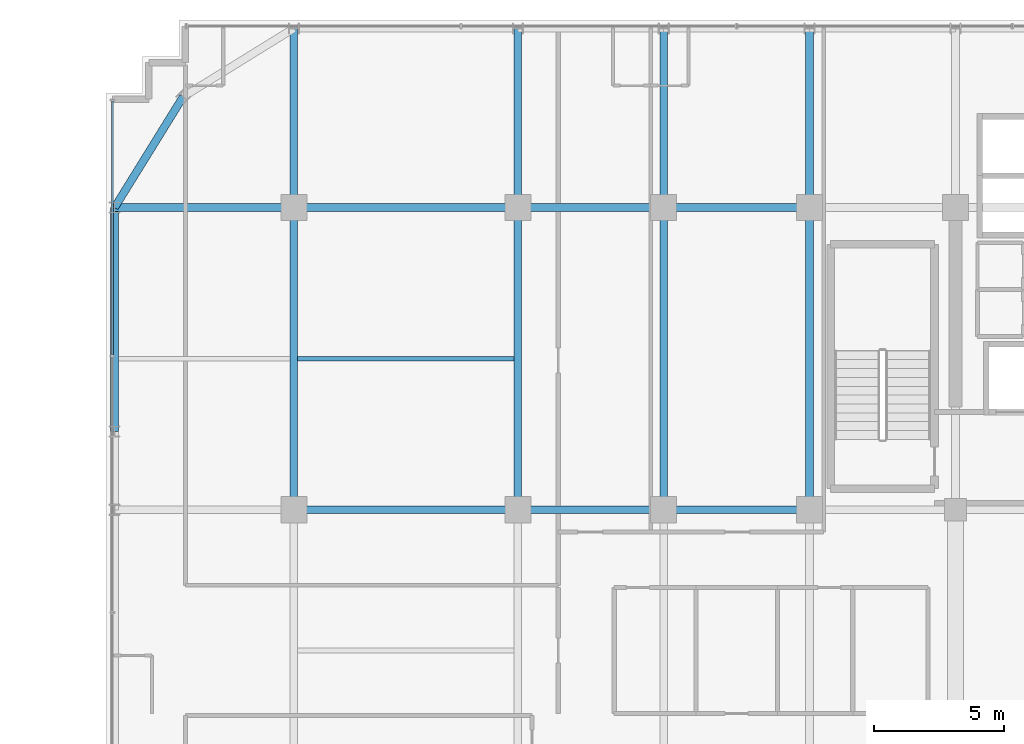
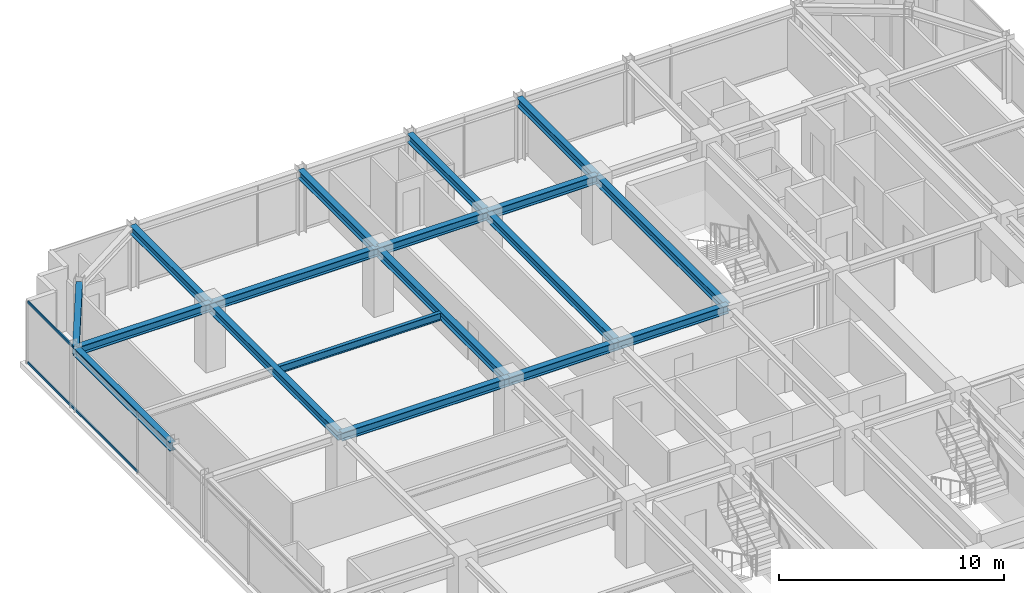
# One storey, part 18 of 32: 18 beams, 2 members, 1 element without a shape of its own.
"""IFC4 building model written with IfcOpenShell, lengths in metres."""

from ifc_helpers import new_model, si_unit, direction, frame, origin, origin_2d, place, context, subcontext, project, spatial, hollow_rectangle, i_section, extrude, source, transform, mapped, material, material_profile, profile_set, type_object, element, aggregate, save


model = new_model("IFC4")

# Units and contexts
model_context = context("Model", 3, precision=1e-05, world=origin(), true_north=direction((0.0, 1.0)))
body_context = subcontext(model_context, "Body", "Model", "MODEL_VIEW")
ifc_project = project(units=[si_unit("LENGTHUNIT", "METRE"), si_unit("AREAUNIT", "SQUARE_METRE"), si_unit("VOLUMEUNIT", "CUBIC_METRE"), si_unit("PLANEANGLEUNIT", "RADIAN"), si_unit("MASSUNIT", "GRAM", prefix="KILO")], contexts=[model_context])

# Site, building, storey
site_placement = place(None, origin())
site = spatial("IfcSite", under=ifc_project, at=site_placement, CompositionType="ELEMENT")
building_placement = place(site_placement, origin())
building = spatial("IfcBuilding", under=site, at=building_placement, Name="Nahalor Promenade Grand Hotel", CompositionType="ELEMENT")
storey_placement = place(building_placement, frame((0.0, 0.0, 230.800048828125)))
storey = spatial("IfcBuildingStorey", under=building, at=storey_placement, Name="L59", CompositionType="ELEMENT", Elevation=230.800048828125)

# Beams
ifc_material_1 = material(Name="Steel S355JR", Category="steel")
ifc_material_profile_1 = material_profile(ifc_material_1, i_section(OverallWidth=0.3, OverallDepth=0.45, WebThickness=0.014, FlangeThickness=0.026, at=origin_2d()), Name="HEB 450")
ifc_profile_set_1 = profile_set([ifc_material_profile_1], Name="Steel S355JR")
beam_type_1 = type_object("IfcBeamType", Name="Beam-Spandrel-HEB450", PredefinedType="SPANDREL", material=ifc_profile_set_1)
shared_shape_1 = source(origin(), body_context, "Body", "SweptSolid", [
    extrude(i_section(OverallWidth=0.3, OverallDepth=0.45, WebThickness=0.014, FlangeThickness=0.026, at=origin_2d()), origin(), (0.0, 0.0, 1.0), 8.60009765625),
])
beam_1_placement = place(storey_placement, frame((-23.8798828125, 8.39990234375, 3.18505859375), z_axis=(0.0, 1.0, 0.0), x_axis=(-1.0, 0.0, 0.0)))
element("IfcBeam", 1, at=beam_1_placement, inside=storey, type_object=beam_type_1, Name="BM-L59-SP-W-4", PredefinedType="SPANDREL", context=body_context, shape_type="MappedRepresentation", body=[
    mapped(shared_shape_1, transform((0.0, 0.0, 0.0), scale=1.0)),
])
shared_shape_2 = source(origin(), body_context, "Body", "SweptSolid", [
    extrude(i_section(OverallWidth=0.3, OverallDepth=0.45, WebThickness=0.014, FlangeThickness=0.026, at=origin_2d()), origin(), (0.0, 0.0, 1.0), 4.997802734375),
])
beam_2_placement = place(storey_placement, frame((-21.25, 21.25, 3.18505859375), z_axis=(-0.526199891161, -0.850360908404, 0.0), x_axis=(0.850360908404, -0.526199891161, 0.0)))
element("IfcBeam", 2, at=beam_2_placement, inside=storey, type_object=beam_type_1, Name="BM-L59-SPC-NW-2", PredefinedType="SPANDREL", context=body_context, shape_type="MappedRepresentation", body=[
    mapped(shared_shape_2, transform((0.0, 0.0, 0.0), scale=1.0)),
])
ifc_material_profile_2 = material_profile(ifc_material_1, i_section(OverallWidth=0.3, OverallDepth=0.45, WebThickness=0.014, FlangeThickness=0.026, at=origin_2d()), Name="HEB 450")
ifc_profile_set_2 = profile_set([ifc_material_profile_2], Name="Steel S355JR")
beam_type_2 = type_object("IfcBeamType", Name="Beam-Girder-HEB450", PredefinedType="BEAM", material=ifc_profile_set_2)
shared_shape_3 = source(origin(), body_context, "Body", "SweptSolid", [
    extrude(i_section(OverallWidth=0.3, OverallDepth=0.45, WebThickness=0.014, FlangeThickness=0.026, at=origin_2d()), origin(), (0.0, 0.0, 1.0), 6.8798828125),
])
for number, where, z_axis, x_axis, name in (
    (3, (-23.8798828125, 17.0, 3.18505859375), (1.0, 0.0, 0.0), (0.0, 1.0, 0.0), "BM-L59-GX-3-0"),
    (4, (-17.0, 17.0, 3.18505859375), (0.0, 1.0, 0.0), (-1.0, 0.0, 0.0), "BM-L59-GY-0-4"),
    (5, (-8.39990234375, 17.0, 3.18505859375), (0.0, 1.0, 0.0), (-1.0, 0.0, 0.0), "BM-L59-GY-1-4"),
    (6, (-2.800048828125, 17.0, 3.18505859375), (0.0, 1.0, 0.0), (-1.0, 0.0, 0.0), "BM-L59-GY-2-4"),
    (7, (2.800048828125, 17.0, 3.18505859375), (0.0, 1.0, 0.0), (-1.0, 0.0, 0.0), "BM-L59-GY-3-4"),
):
    element("IfcBeam", number, at=place(storey_placement, frame(where, z_axis=z_axis, x_axis=x_axis)), inside=storey, type_object=beam_type_2, Name=name, PredefinedType="BEAM", context=body_context, shape_type="MappedRepresentation", body=[
        mapped(shared_shape_3, transform((0.0, 0.0, 0.0), scale=1.0)),
    ])
shared_shape_4 = source(origin(), body_context, "Body", "SweptSolid", [
    extrude(i_section(OverallWidth=0.3, OverallDepth=0.45, WebThickness=0.014, FlangeThickness=0.026, at=origin_2d()), origin(), (0.0, 0.0, 1.0), 8.60009765625),
])
for number, where, z_axis, x_axis, name in (
    (8, (-17.0, 5.39990234375, 3.18505859375), (1.0, 0.0, 0.0), (0.0, 1.0, 0.0), "BM-L59-GX-2-1"),
    (9, (-17.0, 17.0, 3.18505859375), (1.0, 0.0, 0.0), (0.0, 1.0, 0.0), "BM-L59-GX-3-1"),
):
    element("IfcBeam", number, at=place(storey_placement, frame(where, z_axis=z_axis, x_axis=x_axis)), inside=storey, type_object=beam_type_2, Name=name, PredefinedType="BEAM", context=body_context, shape_type="MappedRepresentation", body=[
        mapped(shared_shape_4, transform((0.0, 0.0, 0.0), scale=1.0)),
    ])
shared_shape_5 = source(origin(), body_context, "Body", "SweptSolid", [
    extrude(i_section(OverallWidth=0.3, OverallDepth=0.45, WebThickness=0.014, FlangeThickness=0.026, at=origin_2d()), origin(), (0.0, 0.0, 1.0), 5.599853515625),
])
for number, where, z_axis, x_axis, name in (
    (10, (-8.39990234375, 5.39990234375, 3.18505859375), (1.0, 0.0, 0.0), (0.0, 1.0, 0.0), "BM-L59-GX-2-2"),
    (11, (-8.39990234375, 17.0, 3.18505859375), (1.0, 0.0, 0.0), (0.0, 1.0, 0.0), "BM-L59-GX-3-2"),
):
    element("IfcBeam", number, at=place(storey_placement, frame(where, z_axis=z_axis, x_axis=x_axis)), inside=storey, type_object=beam_type_2, Name=name, PredefinedType="BEAM", context=body_context, shape_type="MappedRepresentation", body=[
        mapped(shared_shape_5, transform((0.0, 0.0, 0.0), scale=1.0)),
    ])
shared_shape_6 = source(origin(), body_context, "Body", "SweptSolid", [
    extrude(i_section(OverallWidth=0.3, OverallDepth=0.45, WebThickness=0.014, FlangeThickness=0.026, at=origin_2d()), origin(), (0.0, 0.0, 1.0), 5.60009765625),
])
for number, where, z_axis, x_axis, name in (
    (12, (-2.800048828125, 5.39990234375, 3.18505859375), (1.0, 0.0, 0.0), (0.0, 1.0, 0.0), "BM-L59-GX-2-3"),
    (13, (-2.800048828125, 17.0, 3.18505859375), (1.0, 0.0, 0.0), (0.0, 1.0, 0.0), "BM-L59-GX-3-3"),
):
    element("IfcBeam", number, at=place(storey_placement, frame(where, z_axis=z_axis, x_axis=x_axis)), inside=storey, type_object=beam_type_2, Name=name, PredefinedType="BEAM", context=body_context, shape_type="MappedRepresentation", body=[
        mapped(shared_shape_6, transform((0.0, 0.0, 0.0), scale=1.0)),
    ])
shared_shape_7 = source(origin(), body_context, "Body", "SweptSolid", [
    extrude(i_section(OverallWidth=0.3, OverallDepth=0.45, WebThickness=0.014, FlangeThickness=0.026, at=origin_2d()), origin(), (0.0, 0.0, 1.0), 11.60009765625),
])
for number, where, z_axis, x_axis, name in (
    (14, (-17.0, 5.39990234375, 3.18505859375), (0.0, 1.0, 0.0), (-1.0, 0.0, 0.0), "BM-L59-GY-0-3"),
    (15, (-8.39990234375, 5.39990234375, 3.18505859375), (0.0, 1.0, 0.0), (-1.0, 0.0, 0.0), "BM-L59-GY-1-3"),
    (16, (-2.800048828125, 5.39990234375, 3.18505859375), (0.0, 1.0, 0.0), (-1.0, 0.0, 0.0), "BM-L59-GY-2-3"),
    (17, (2.800048828125, 5.39990234375, 3.18505859375), (0.0, 1.0, 0.0), (-1.0, 0.0, 0.0), "BM-L59-GY-3-3"),
):
    element("IfcBeam", number, at=place(storey_placement, frame(where, z_axis=z_axis, x_axis=x_axis)), inside=storey, type_object=beam_type_2, Name=name, PredefinedType="BEAM", context=body_context, shape_type="MappedRepresentation", body=[
        mapped(shared_shape_7, transform((0.0, 0.0, 0.0), scale=1.0)),
    ])
ifc_material_profile_3 = material_profile(ifc_material_1, i_section(OverallWidth=0.18, OverallDepth=0.4, WebThickness=0.0086, FlangeThickness=0.0135, at=origin_2d()), Name="IPE 400")
ifc_profile_set_3 = profile_set([ifc_material_profile_3], Name="Steel S355JR")
beam_type_3 = type_object("IfcBeamType", Name="Beam-Joist-IPE400", PredefinedType="JOIST", material=ifc_profile_set_3)
shared_shape_8 = source(origin(), body_context, "Body", "SweptSolid", [
    extrude(i_section(OverallWidth=0.18, OverallDepth=0.4, WebThickness=0.0086, FlangeThickness=0.0135, at=origin_2d()), origin(), (0.0, 0.0, 1.0), 8.300048828125),
])
beam_3_placement = place(storey_placement, frame((-16.85009765625, 11.199951171875, 3.2099609375), z_axis=(1.0, 0.0, 0.0), x_axis=(0.0, 1.0, 0.0)))
element("IfcBeam", 18, at=beam_3_placement, inside=storey, type_object=beam_type_3, Name="BM-L59-JSW-1-1", PredefinedType="JOIST", context=body_context, shape_type="MappedRepresentation", body=[
    mapped(shared_shape_8, transform((0.0, 0.0, 0.0), scale=1.0)),
])

# Curtain wall, members
ifc_material_2 = material(Name="Anodised Bronze Aluminium EN AW-6063 T6", Category="aluminium")
curtain_wall_type = type_object("IfcCurtainWallType", Name="CW2 Typical Hotel Flush Bronze Unitised Curtain Wall", PredefinedType="USERDEFINED", material=ifc_material_2)
curtain_wall_placement = place(storey_placement, origin())
curtain_wall = element("IfcCurtainWall", 19, at=curtain_wall_placement, inside=storey, type_object=curtain_wall_type, Name="L59 Curtain Wall CW-L59-W-3", ObjectType="UNITISED_CURTAIN_WALL", PredefinedType="USERDEFINED")
ifc_material_profile_4 = material_profile(ifc_material_2, hollow_rectangle(XDim=0.065, YDim=0.13, WallThickness=0.004, at=origin_2d()), Name="CWT 65x130x4")
ifc_profile_set_4 = profile_set([ifc_material_profile_4], Name="Anodised Bronze Aluminium EN AW-6063 T6")
member_type = type_object("IfcMemberType", Name="CWT2 Typical Bronze Transom 65x130", PredefinedType="USERDEFINED", material=ifc_profile_set_4)
shared_shape_9 = source(origin(), body_context, "Body", "SweptSolid", [
    extrude(hollow_rectangle(XDim=0.065, YDim=0.13, WallThickness=0.004, at=origin_2d()), origin(), (0.0, 0.0, 1.0), 9.755859375),
])
member_1_placement = place(storey_placement, frame((-23.9599609375, 11.339111328125, 0.06494140625), z_axis=(0.0, 1.0, 0.0), x_axis=(-1.0, 0.0, 0.0)))
member_1 = element("IfcMember", 20, at=member_1_placement, type_object=member_type, Name="CW-L59-W-3 Transom 2-0", ObjectType="TRANSOM", PredefinedType="USERDEFINED", context=body_context, shape_type="MappedRepresentation", body=[
    mapped(shared_shape_9, transform((0.0, 0.0, 0.0), scale=1.0)),
])
member_2_placement = place(storey_placement, frame((-23.9599609375, 11.339111328125, 3.344970703125), z_axis=(0.0, 1.0, 0.0), x_axis=(-1.0, 0.0, 0.0)))
member_2 = element("IfcMember", 21, at=member_2_placement, type_object=member_type, Name="CW-L59-W-3 Transom 2-1", ObjectType="TRANSOM", PredefinedType="USERDEFINED", context=body_context, shape_type="MappedRepresentation", body=[
    mapped(shared_shape_9, transform((0.0, 0.0, 0.0), scale=1.0)),
])
aggregate(curtain_wall, [member_1, member_2])

save(model, "model.ifc")
